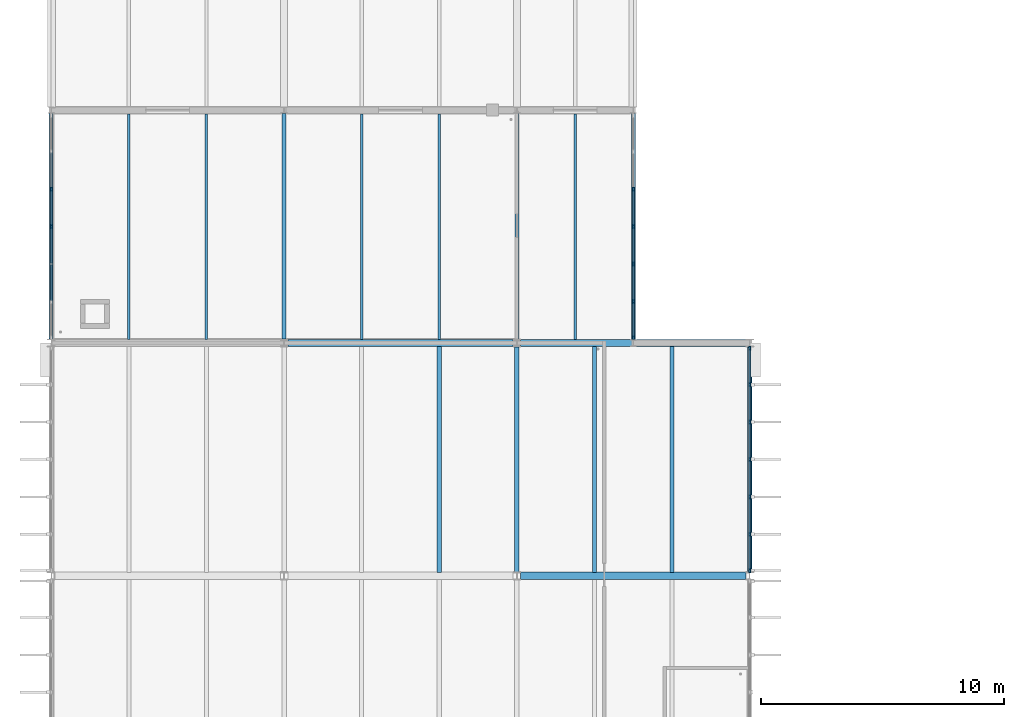
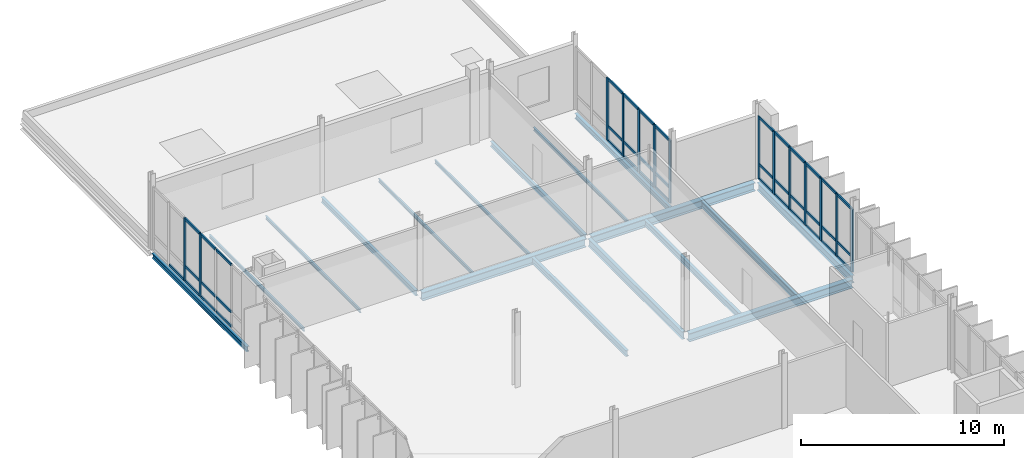
# One storey, part 37 of 107: 54 members, 17 beams, 3 elements without a shape of their own.
"""IFC4 building model written with IfcOpenShell, lengths in metres."""

import ifcopenshell
import ifcopenshell.guid

model = None  # the IFC model being written
_history = None  # IfcOwnerHistory: only IFC2X3 demands one
_inside = {}  # id of a spatial element -> (the spatial element, [elements in it])
_under = {}  # id of a project, library or spatial element -> (it, [spatial elements below it])
_declared = {}  # id of a project -> (the project, [libraries it declares])
_typed = {}  # id of a type object -> (the type object, [elements of that type])
_made_of = {}  # id of a material, layer set ... -> (it, [elements and type objects made of it])


def new_model(schema):
    """Start an empty IFC model of exactly this schema.

    Asked for "IFC4X3", IfcOpenShell would pick the latest addendum, in which some entities
    have other attributes; the version numbers below select the first issue.
    IFC2X3 requires an IfcOwnerHistory on every rooted entity: one is made here for all.
    """
    global model, _history
    if schema == "IFC4X3":
        model = ifcopenshell.file(schema_version=(4, 3, 0, 0))
    else:
        model = ifcopenshell.file(schema=schema)
    _inside.clear()
    _under.clear()
    _declared.clear()
    _typed.clear()
    _made_of.clear()
    _history = None
    if model.schema == "IFC2X3":
        org = make("IfcOrganization", Name="unknown")
        user = make(
            "IfcPersonAndOrganization",
            ThePerson=make("IfcPerson", FamilyName="unknown"),
            TheOrganization=org,
        )
        app = make(
            "IfcApplication",
            ApplicationDeveloper=org,
            Version="unknown",
            ApplicationFullName="unknown",
            ApplicationIdentifier="unknown",
        )
        _history = make(
            "IfcOwnerHistory",
            OwningUser=user,
            OwningApplication=app,
            ChangeAction="ADDED",
            CreationDate=0,
        )
    return model


def make(cls, **values):
    """One entity of the class cls with the attributes given. An attribute that is None is left unset."""
    return model.create_entity(
        cls, **{name: value for name, value in values.items() if value is not None}
    )


def rooted(cls, **values):
    """An entity with a GlobalId (a new one), such as an element, a storey or a relation."""
    return make(cls, GlobalId=ifcopenshell.guid.new(), OwnerHistory=_history, **values)


def si_unit(unit_type, name, prefix=None):
    """IfcSIUnit, for example si_unit("LENGTHUNIT", "METRE", prefix="MILLI")."""
    return make("IfcSIUnit", UnitType=unit_type, Prefix=prefix, Name=name)


def assignment(units):
    """IfcUnitAssignment: the units of a project."""
    return None if units is None else make("IfcUnitAssignment", Units=units)


def point(xyz):
    """IfcCartesianPoint."""
    return None if xyz is None else make("IfcCartesianPoint", Coordinates=xyz)


def direction(xyz):
    """IfcDirection."""
    return None if xyz is None else make("IfcDirection", DirectionRatios=xyz)


def frame(location, z_axis=None, x_axis=None):
    """IfcAxis2Placement3D, a coordinate frame: its origin and axes. An axis left out is left unset."""
    return make(
        "IfcAxis2Placement3D",
        Location=point(location),
        Axis=direction(z_axis),
        RefDirection=direction(x_axis),
    )


def frame_2d(location, x_axis=None):
    """IfcAxis2Placement2D, a coordinate frame in the plane: its origin and x axis."""
    return make(
        "IfcAxis2Placement2D", Location=point(location), RefDirection=direction(x_axis)
    )


def origin():
    """The frame at (0, 0, 0) with its axes left unset."""
    return frame((0.0, 0.0, 0.0))


def origin_2d():
    """The frame at (0, 0) in the plane with its x axis left unset."""
    return frame_2d((0.0, 0.0))


def place(relative_to, where):
    """IfcLocalPlacement: puts the frame where relative to a parent placement (None: the world)."""
    return make(
        "IfcLocalPlacement", PlacementRelTo=relative_to, RelativePlacement=where
    )


def context(
    kind, dimensions, precision=None, world=None, true_north=None, identifier=None
):
    """IfcGeometricRepresentationContext, for example the 3D "Model" context."""
    return make(
        "IfcGeometricRepresentationContext",
        ContextIdentifier=identifier,
        ContextType=kind,
        CoordinateSpaceDimension=dimensions,
        Precision=precision,
        WorldCoordinateSystem=world,
        TrueNorth=true_north,
    )


def subcontext(parent, identifier, kind, view, scale=None):
    """IfcGeometricRepresentationSubContext, for example "Body" below "Model"."""
    return make(
        "IfcGeometricRepresentationSubContext",
        ContextIdentifier=identifier,
        ContextType=kind,
        ParentContext=parent,
        TargetScale=scale,
        TargetView=view,
    )


def project(units=None, contexts=None):
    """IfcProject with its units and contexts."""
    return rooted(
        "IfcProject",
        Name="project",
        RepresentationContexts=contexts,
        UnitsInContext=assignment(units),
    )


def spatial(cls, under=None, at=None, **own):
    """A site, building, storey or space (cls), placed at a placement, below another one or the project."""
    s = rooted(cls, ObjectPlacement=at, **own)
    if under is not None:
        _under.setdefault(under.id(), (under, []))[1].append(s)
    return s


def profile(cls, at=None, kind="AREA", **sizes):
    """A parametric profile (cls). Its sizes go by their IFC names, for example OverallWidth=200.0."""
    return make(cls, ProfileType=kind, Position=at, **sizes)


def rectangle(**sizes):
    """IfcRectangleProfileDef."""
    return profile("IfcRectangleProfileDef", **sizes)


def i_section(**sizes):
    """IfcIShapeProfileDef."""
    return profile("IfcIShapeProfileDef", **sizes)


def extrude(swept, where, along, depth):
    """IfcExtrudedAreaSolid: the profile swept, set in the frame where, extruded along a direction by depth."""
    return make(
        "IfcExtrudedAreaSolid",
        SweptArea=swept,
        Position=where,
        ExtrudedDirection=direction(along),
        Depth=depth,
    )


def shape(context_of_items, identifier, shape_type, items):
    """IfcShapeRepresentation: the items that make up one representation, for example the "Body"."""
    return make(
        "IfcShapeRepresentation",
        ContextOfItems=context_of_items,
        RepresentationIdentifier=identifier,
        RepresentationType=shape_type,
        Items=items,
    )


def material(Name=None, Category=None):
    """IfcMaterial."""
    return make("IfcMaterial", Name=Name, Category=Category)


def material_profile(
    of_material, cross_section, Name=None, Category=None, Priority=None
):
    """IfcMaterialProfile: a cross section and its material."""
    return make(
        "IfcMaterialProfile",
        Name=Name,
        Material=of_material,
        Profile=cross_section,
        Priority=Priority,
        Category=Category,
    )


def profile_set(profiles, Name=None, composite=None):
    """IfcMaterialProfileSet."""
    return make(
        "IfcMaterialProfileSet",
        Name=Name,
        MaterialProfiles=profiles,
        CompositeProfile=composite,
    )


def made_of(thing, what):
    """Note that an element or type object is made of a material, layer set ...; save() writes the relation."""
    if what is not None:
        _made_of.setdefault(what.id(), (what, []))[1].append(thing)
    return thing


def type_object(cls, material=None, **own):
    """A type object (cls), such as IfcWallType, which elements share."""
    return made_of(rooted(cls, **own), material)


def element(
    cls,
    number,
    at=None,
    inside=None,
    cuts=None,
    type_object=None,
    material=None,
    context=None,
    identifier="Body",
    shape_type=None,
    held_by="IfcProductDefinitionShape",
    body=None,
    shapes=None,
    **own,
):
    """One element of the class cls, such as IfcWall. Its Tag is "e" and its number.

    at: its placement. inside: the storey or other place that contains it. cuts: it is an
    opening in that element (IfcRelVoidsElement). A single representation is given by context,
    identifier, shape_type and body (its items); several are given by shapes. held_by: the class
    of the entity that holds the representations. save() writes the other relations.
    """
    e = rooted(cls, Tag="e%d" % number, ObjectPlacement=at, **own)
    if body is not None:
        shapes = [shape(context, identifier, shape_type, body)]
    if shapes is not None:
        e.Representation = make(held_by, Representations=shapes)
    if inside is not None:
        _inside.setdefault(inside.id(), (inside, []))[1].append(e)
    if cuts is not None:
        rooted(
            "IfcRelVoidsElement", RelatingBuildingElement=cuts, RelatedOpeningElement=e
        )
    if type_object is not None:
        _typed.setdefault(type_object.id(), (type_object, []))[1].append(e)
    return made_of(e, material)


def aggregate(whole, parts):
    """IfcRelAggregates: a whole, such as a stair, and the parts it consists of."""
    return rooted("IfcRelAggregates", RelatingObject=whole, RelatedObjects=parts)


def save(model, path):
    """Write the relations noted so far, then the file.

    IfcRelAggregates (storeys below a building ...), IfcRelContainedInSpatialStructure (elements
    in a storey), IfcRelDefinesByType, IfcRelAssociatesMaterial and IfcRelDeclares: one each for
    every whole, place, type object, material and project.
    """
    for whole, parts in _under.values():
        aggregate(whole, parts)
    for where, things in _inside.values():
        rooted(
            "IfcRelContainedInSpatialStructure",
            RelatedElements=things,
            RelatingStructure=where,
        )
    for kind, things in _typed.values():
        rooted("IfcRelDefinesByType", RelatedObjects=things, RelatingType=kind)
    for what, things in _made_of.values():
        rooted("IfcRelAssociatesMaterial", RelatedObjects=things, RelatingMaterial=what)
    for by, libraries in _declared.values():
        rooted("IfcRelDeclares", RelatingContext=by, RelatedDefinitions=libraries)
    model.write(path)


model = new_model("IFC4")

# Units and contexts
model_context = context("Model", 3, precision=1e-05, world=origin(), true_north=direction((0.0, 1.0)))
body_context = subcontext(model_context, "Body", "Model", "MODEL_VIEW")
ifc_project = project(units=[si_unit("LENGTHUNIT", "METRE"), si_unit("AREAUNIT", "SQUARE_METRE"), si_unit("VOLUMEUNIT", "CUBIC_METRE"), si_unit("PLANEANGLEUNIT", "RADIAN"), si_unit("MASSUNIT", "GRAM", prefix="KILO")], contexts=[model_context])

# Site, building, storey
site_placement = place(None, origin())
site = spatial("IfcSite", under=ifc_project, at=site_placement, CompositionType="ELEMENT")
building_placement = place(site_placement, origin())
building = spatial("IfcBuilding", under=site, at=building_placement, Name="Dunescarp Central Library", CompositionType="ELEMENT")
storey_placement = place(building_placement, frame((0.0, 0.0, 5.10009765625)))
storey = spatial("IfcBuildingStorey", under=building, at=storey_placement, Name="L01", CompositionType="ELEMENT", Elevation=5.10009765625)

# Curtain wall, members
ifc_material_1 = material(Name="Marine-grade anodised aluminium 6063-T6", Category="aluminium")
curtain_wall_type = type_object("IfcCurtainWallType", Name="ARC-CW-STICK", PredefinedType="NOTDEFINED", material=ifc_material_1)
curtain_wall_1_placement = place(storey_placement, origin())
curtain_wall_1 = element("IfcCurtainWall", 1, at=curtain_wall_1_placement, inside=storey, type_object=curtain_wall_type, Name="L01 curtain wall CW-V4-123", PredefinedType="NOTDEFINED")
ifc_material_profile_1 = material_profile(ifc_material_1, rectangle(XDim=0.080078125, YDim=0.179931640625, at=origin_2d()), Name="AL 80x180")
ifc_profile_set_1 = profile_set([ifc_material_profile_1], Name="Marine-grade anodised aluminium 6063-T6")
member_type_1 = type_object("IfcMemberType", Name="ARC-CWM-180", PredefinedType="MULLION", material=ifc_profile_set_1)
member_1_placement = place(storey_placement, frame((28.800048828125, 89.385009765625, 0.0), z_axis=(0.0, 0.0, 1.0), x_axis=(1.0, 0.0, 0.0)))
member_1 = element("IfcMember", 2, at=member_1_placement, type_object=member_type_1, Name="CW-V4-123 mullion 1", PredefinedType="MULLION", context=body_context, shape_type="SweptSolid", body=[
    extrude(rectangle(XDim=0.080078125, YDim=0.179931640625, at=origin_2d()), origin(), (0.0, 0.0, 1.0), 3.764892578125),
])
member_2_placement = place(storey_placement, frame((28.800048828125, 87.88330078125, 0.0), z_axis=(0.0, 0.0, 1.0), x_axis=(1.0, 0.0, 0.0)))
member_2 = element("IfcMember", 3, at=member_2_placement, type_object=member_type_1, Name="CW-V4-123 mullion 2", PredefinedType="MULLION", context=body_context, shape_type="SweptSolid", body=[
    extrude(rectangle(XDim=0.080078125, YDim=0.179931640625, at=origin_2d()), origin(), (0.0, 0.0, 1.0), 3.764892578125),
])
member_3_placement = place(storey_placement, frame((28.800048828125, 86.341552734375, 0.0), z_axis=(0.0, 0.0, 1.0), x_axis=(1.0, 0.0, 0.0)))
member_3 = element("IfcMember", 4, at=member_3_placement, type_object=member_type_1, Name="CW-V4-123 mullion 3", PredefinedType="MULLION", context=body_context, shape_type="SweptSolid", body=[
    extrude(rectangle(XDim=0.080078125, YDim=0.179931640625, at=origin_2d()), origin(), (0.0, 0.0, 1.0), 3.764892578125),
])
member_4_placement = place(storey_placement, frame((28.800048828125, 84.800048828125, 0.0), z_axis=(0.0, 0.0, 1.0), x_axis=(1.0, 0.0, 0.0)))
member_4 = element("IfcMember", 5, at=member_4_placement, type_object=member_type_1, Name="CW-V4-123 mullion 4", PredefinedType="MULLION", context=body_context, shape_type="SweptSolid", body=[
    extrude(rectangle(XDim=0.080078125, YDim=0.179931640625, at=origin_2d()), origin(), (0.0, 0.0, 1.0), 3.764892578125),
])
member_5_placement = place(storey_placement, frame((28.800048828125, 83.25830078125, 0.0), z_axis=(0.0, 0.0, 1.0), x_axis=(1.0, 0.0, 0.0)))
member_5 = element("IfcMember", 6, at=member_5_placement, type_object=member_type_1, Name="CW-V4-123 mullion 5", PredefinedType="MULLION", context=body_context, shape_type="SweptSolid", body=[
    extrude(rectangle(XDim=0.080078125, YDim=0.179931640625, at=origin_2d()), origin(), (0.0, 0.0, 1.0), 3.764892578125),
])
member_6_placement = place(storey_placement, frame((28.800048828125, 81.716552734375, 0.0), z_axis=(0.0, 0.0, 1.0), x_axis=(1.0, 0.0, 0.0)))
member_6 = element("IfcMember", 7, at=member_6_placement, type_object=member_type_1, Name="CW-V4-123 mullion 6", PredefinedType="MULLION", context=body_context, shape_type="SweptSolid", body=[
    extrude(rectangle(XDim=0.080078125, YDim=0.179931640625, at=origin_2d()), origin(), (0.0, 0.0, 1.0), 3.764892578125),
])
member_7_placement = place(storey_placement, frame((28.800048828125, 80.215087890625, 0.0), z_axis=(0.0, 0.0, 1.0), x_axis=(1.0, 0.0, 0.0)))
member_7 = element("IfcMember", 8, at=member_7_placement, type_object=member_type_1, Name="CW-V4-123 mullion 7", PredefinedType="MULLION", context=body_context, shape_type="SweptSolid", body=[
    extrude(rectangle(XDim=0.080078125, YDim=0.179931640625, at=origin_2d()), origin(), (0.0, 0.0, 1.0), 3.764892578125),
])

curtain_wall_2_placement = place(storey_placement, origin())
curtain_wall_2 = element("IfcCurtainWall", 9, at=curtain_wall_2_placement, inside=storey, type_object=curtain_wall_type, Name="L01 curtain wall CW-V4N-142", PredefinedType="NOTDEFINED")
member_8_placement = place(storey_placement, frame((0.0, 94.39990234375, 0.0), z_axis=(0.0, 0.0, 1.0), x_axis=(-1.0, 0.0, 0.0)))
member_8 = element("IfcMember", 10, at=member_8_placement, type_object=member_type_1, Name="CW-V4N-142 mullion 4", PredefinedType="MULLION", context=body_context, shape_type="SweptSolid", body=[
    extrude(rectangle(XDim=0.080078125, YDim=0.179931640625, at=origin_2d()), origin(), (0.0, 0.0, 1.0), 3.764892578125),
])
member_9_placement = place(storey_placement, frame((0.0, 95.941650390625, 0.0), z_axis=(0.0, 0.0, 1.0), x_axis=(-1.0, 0.0, 0.0)))
member_9 = element("IfcMember", 11, at=member_9_placement, type_object=member_type_1, Name="CW-V4N-142 mullion 5", PredefinedType="MULLION", context=body_context, shape_type="SweptSolid", body=[
    extrude(rectangle(XDim=0.080078125, YDim=0.179931640625, at=origin_2d()), origin(), (0.0, 0.0, 1.0), 3.764892578125),
])

curtain_wall_3_placement = place(storey_placement, origin())
curtain_wall_3 = element("IfcCurtainWall", 12, at=curtain_wall_3_placement, inside=storey, type_object=curtain_wall_type, Name="L01 curtain wall CW-V4N-143", PredefinedType="NOTDEFINED")
member_10_placement = place(storey_placement, frame((24.0, 95.941650390625, 0.0), z_axis=(0.0, 0.0, 1.0), x_axis=(1.0, 0.0, 0.0)))
member_10 = element("IfcMember", 13, at=member_10_placement, type_object=member_type_1, Name="CW-V4N-143 mullion 3", PredefinedType="MULLION", context=body_context, shape_type="SweptSolid", body=[
    extrude(rectangle(XDim=0.080078125, YDim=0.179931640625, at=origin_2d()), origin(), (0.0, 0.0, 1.0), 3.764892578125),
])
member_11_placement = place(storey_placement, frame((24.0, 94.39990234375, 0.0), z_axis=(0.0, 0.0, 1.0), x_axis=(1.0, 0.0, 0.0)))
member_11 = element("IfcMember", 14, at=member_11_placement, type_object=member_type_1, Name="CW-V4N-143 mullion 4", PredefinedType="MULLION", context=body_context, shape_type="SweptSolid", body=[
    extrude(rectangle(XDim=0.080078125, YDim=0.179931640625, at=origin_2d()), origin(), (0.0, 0.0, 1.0), 3.764892578125),
])
member_12_placement = place(storey_placement, frame((24.0, 92.8583984375, 0.0), z_axis=(0.0, 0.0, 1.0), x_axis=(1.0, 0.0, 0.0)))
member_12 = element("IfcMember", 15, at=member_12_placement, type_object=member_type_1, Name="CW-V4N-143 mullion 5", PredefinedType="MULLION", context=body_context, shape_type="SweptSolid", body=[
    extrude(rectangle(XDim=0.080078125, YDim=0.179931640625, at=origin_2d()), origin(), (0.0, 0.0, 1.0), 3.764892578125),
])
member_13_placement = place(storey_placement, frame((24.0, 91.316650390625, 0.0), z_axis=(0.0, 0.0, 1.0), x_axis=(1.0, 0.0, 0.0)))
member_13 = element("IfcMember", 16, at=member_13_placement, type_object=member_type_1, Name="CW-V4N-143 mullion 6", PredefinedType="MULLION", context=body_context, shape_type="SweptSolid", body=[
    extrude(rectangle(XDim=0.080078125, YDim=0.179931640625, at=origin_2d()), origin(), (0.0, 0.0, 1.0), 3.764892578125),
])
member_14_placement = place(storey_placement, frame((24.0, 89.81494140625, 0.0), z_axis=(0.0, 0.0, 1.0), x_axis=(1.0, 0.0, 0.0)))
member_14 = element("IfcMember", 17, at=member_14_placement, type_object=member_type_1, Name="CW-V4N-143 mullion 7", PredefinedType="MULLION", context=body_context, shape_type="SweptSolid", body=[
    extrude(rectangle(XDim=0.080078125, YDim=0.179931640625, at=origin_2d()), origin(), (0.0, 0.0, 1.0), 3.764892578125),
])

# Member
ifc_material_profile_2 = material_profile(ifc_material_1, rectangle(XDim=0.080078125, YDim=0.14990234375, at=origin_2d()), Name="AL 80x150")
ifc_profile_set_2 = profile_set([ifc_material_profile_2], Name="Marine-grade anodised aluminium 6063-T6")
member_type_2 = type_object("IfcMemberType", Name="ARC-CWT-150", PredefinedType="USERDEFINED", material=ifc_profile_set_2)
member_15_placement = place(storey_placement, frame((28.800048828125, 89.344970703125, 0.039794921875), z_axis=(0.0, -1.0, 0.0), x_axis=(1.0, 0.0, 0.0)))
member_15 = element("IfcMember", 18, at=member_15_placement, type_object=member_type_2, Name="CW-V4-123 transom 1.1", ObjectType="TRANSOM", PredefinedType="USERDEFINED", context=body_context, shape_type="SweptSolid", body=[
    extrude(rectangle(XDim=0.080078125, YDim=0.14990234375, at=origin_2d()), origin(), (0.0, 0.0, 1.0), 1.421630859375),
])

member_16_placement = place(storey_placement, frame((28.800048828125, 89.344970703125, 0.89990234375), z_axis=(0.0, -1.0, 0.0), x_axis=(1.0, 0.0, 0.0)))
member_16 = element("IfcMember", 19, at=member_16_placement, type_object=member_type_2, Name="CW-V4-123 transom 1.2", ObjectType="TRANSOM", PredefinedType="USERDEFINED", context=body_context, shape_type="SweptSolid", body=[
    extrude(rectangle(XDim=0.080078125, YDim=0.14990234375, at=origin_2d()), origin(), (0.0, 0.0, 1.0), 1.421630859375),
])

member_17_placement = place(storey_placement, frame((28.800048828125, 89.344970703125, 3.724853515625), z_axis=(0.0, -1.0, 0.0), x_axis=(1.0, 0.0, 0.0)))
member_17 = element("IfcMember", 20, at=member_17_placement, type_object=member_type_2, Name="CW-V4-123 transom 1.3", ObjectType="TRANSOM", PredefinedType="USERDEFINED", context=body_context, shape_type="SweptSolid", body=[
    extrude(rectangle(XDim=0.080078125, YDim=0.14990234375, at=origin_2d()), origin(), (0.0, 0.0, 1.0), 1.421630859375),
])

member_18_placement = place(storey_placement, frame((28.800048828125, 87.84326171875, 0.039794921875), z_axis=(0.0, -1.0, 0.0), x_axis=(1.0, 0.0, 0.0)))
member_18 = element("IfcMember", 21, at=member_18_placement, type_object=member_type_2, Name="CW-V4-123 transom 2.1", ObjectType="TRANSOM", PredefinedType="USERDEFINED", context=body_context, shape_type="SweptSolid", body=[
    extrude(rectangle(XDim=0.080078125, YDim=0.14990234375, at=origin_2d()), origin(), (0.0, 0.0, 1.0), 1.461669921875),
])

member_19_placement = place(storey_placement, frame((28.800048828125, 87.84326171875, 0.89990234375), z_axis=(0.0, -1.0, 0.0), x_axis=(1.0, 0.0, 0.0)))
member_19 = element("IfcMember", 22, at=member_19_placement, type_object=member_type_2, Name="CW-V4-123 transom 2.2", ObjectType="TRANSOM", PredefinedType="USERDEFINED", context=body_context, shape_type="SweptSolid", body=[
    extrude(rectangle(XDim=0.080078125, YDim=0.14990234375, at=origin_2d()), origin(), (0.0, 0.0, 1.0), 1.461669921875),
])

member_20_placement = place(storey_placement, frame((28.800048828125, 87.84326171875, 3.724853515625), z_axis=(0.0, -1.0, 0.0), x_axis=(1.0, 0.0, 0.0)))
member_20 = element("IfcMember", 23, at=member_20_placement, type_object=member_type_2, Name="CW-V4-123 transom 2.3", ObjectType="TRANSOM", PredefinedType="USERDEFINED", context=body_context, shape_type="SweptSolid", body=[
    extrude(rectangle(XDim=0.080078125, YDim=0.14990234375, at=origin_2d()), origin(), (0.0, 0.0, 1.0), 1.461669921875),
])

member_21_placement = place(storey_placement, frame((28.800048828125, 86.3017578125, 0.039794921875), z_axis=(0.0, -1.0, 0.0), x_axis=(1.0, 0.0, 0.0)))
member_21 = element("IfcMember", 24, at=member_21_placement, type_object=member_type_2, Name="CW-V4-123 transom 3.1", ObjectType="TRANSOM", PredefinedType="USERDEFINED", context=body_context, shape_type="SweptSolid", body=[
    extrude(rectangle(XDim=0.080078125, YDim=0.14990234375, at=origin_2d()), origin(), (0.0, 0.0, 1.0), 1.461669921875),
])

member_22_placement = place(storey_placement, frame((28.800048828125, 86.3017578125, 0.89990234375), z_axis=(0.0, -1.0, 0.0), x_axis=(1.0, 0.0, 0.0)))
member_22 = element("IfcMember", 25, at=member_22_placement, type_object=member_type_2, Name="CW-V4-123 transom 3.2", ObjectType="TRANSOM", PredefinedType="USERDEFINED", context=body_context, shape_type="SweptSolid", body=[
    extrude(rectangle(XDim=0.080078125, YDim=0.14990234375, at=origin_2d()), origin(), (0.0, 0.0, 1.0), 1.461669921875),
])

member_23_placement = place(storey_placement, frame((28.800048828125, 86.3017578125, 3.724853515625), z_axis=(0.0, -1.0, 0.0), x_axis=(1.0, 0.0, 0.0)))
member_23 = element("IfcMember", 26, at=member_23_placement, type_object=member_type_2, Name="CW-V4-123 transom 3.3", ObjectType="TRANSOM", PredefinedType="USERDEFINED", context=body_context, shape_type="SweptSolid", body=[
    extrude(rectangle(XDim=0.080078125, YDim=0.14990234375, at=origin_2d()), origin(), (0.0, 0.0, 1.0), 1.461669921875),
])

member_24_placement = place(storey_placement, frame((28.800048828125, 84.760009765625, 0.039794921875), z_axis=(0.0, -1.0, 0.0), x_axis=(1.0, 0.0, 0.0)))
member_24 = element("IfcMember", 27, at=member_24_placement, type_object=member_type_2, Name="CW-V4-123 transom 4.1", ObjectType="TRANSOM", PredefinedType="USERDEFINED", context=body_context, shape_type="SweptSolid", body=[
    extrude(rectangle(XDim=0.080078125, YDim=0.14990234375, at=origin_2d()), origin(), (0.0, 0.0, 1.0), 1.461669921875),
])

member_25_placement = place(storey_placement, frame((28.800048828125, 84.760009765625, 0.89990234375), z_axis=(0.0, -1.0, 0.0), x_axis=(1.0, 0.0, 0.0)))
member_25 = element("IfcMember", 28, at=member_25_placement, type_object=member_type_2, Name="CW-V4-123 transom 4.2", ObjectType="TRANSOM", PredefinedType="USERDEFINED", context=body_context, shape_type="SweptSolid", body=[
    extrude(rectangle(XDim=0.080078125, YDim=0.14990234375, at=origin_2d()), origin(), (0.0, 0.0, 1.0), 1.461669921875),
])

member_26_placement = place(storey_placement, frame((28.800048828125, 84.760009765625, 3.724853515625), z_axis=(0.0, -1.0, 0.0), x_axis=(1.0, 0.0, 0.0)))
member_26 = element("IfcMember", 29, at=member_26_placement, type_object=member_type_2, Name="CW-V4-123 transom 4.3", ObjectType="TRANSOM", PredefinedType="USERDEFINED", context=body_context, shape_type="SweptSolid", body=[
    extrude(rectangle(XDim=0.080078125, YDim=0.14990234375, at=origin_2d()), origin(), (0.0, 0.0, 1.0), 1.461669921875),
])

member_27_placement = place(storey_placement, frame((28.800048828125, 83.21826171875, 0.039794921875), z_axis=(0.0, -1.0, 0.0), x_axis=(1.0, 0.0, 0.0)))
member_27 = element("IfcMember", 30, at=member_27_placement, type_object=member_type_2, Name="CW-V4-123 transom 5.1", ObjectType="TRANSOM", PredefinedType="USERDEFINED", context=body_context, shape_type="SweptSolid", body=[
    extrude(rectangle(XDim=0.080078125, YDim=0.14990234375, at=origin_2d()), origin(), (0.0, 0.0, 1.0), 1.461669921875),
])

member_28_placement = place(storey_placement, frame((28.800048828125, 83.21826171875, 0.89990234375), z_axis=(0.0, -1.0, 0.0), x_axis=(1.0, 0.0, 0.0)))
member_28 = element("IfcMember", 31, at=member_28_placement, type_object=member_type_2, Name="CW-V4-123 transom 5.2", ObjectType="TRANSOM", PredefinedType="USERDEFINED", context=body_context, shape_type="SweptSolid", body=[
    extrude(rectangle(XDim=0.080078125, YDim=0.14990234375, at=origin_2d()), origin(), (0.0, 0.0, 1.0), 1.461669921875),
])

member_29_placement = place(storey_placement, frame((28.800048828125, 83.21826171875, 3.724853515625), z_axis=(0.0, -1.0, 0.0), x_axis=(1.0, 0.0, 0.0)))
member_29 = element("IfcMember", 32, at=member_29_placement, type_object=member_type_2, Name="CW-V4-123 transom 5.3", ObjectType="TRANSOM", PredefinedType="USERDEFINED", context=body_context, shape_type="SweptSolid", body=[
    extrude(rectangle(XDim=0.080078125, YDim=0.14990234375, at=origin_2d()), origin(), (0.0, 0.0, 1.0), 1.461669921875),
])

member_30_placement = place(storey_placement, frame((28.800048828125, 81.6767578125, 0.039794921875), z_axis=(0.0, -1.0, 0.0), x_axis=(1.0, 0.0, 0.0)))
member_30 = element("IfcMember", 33, at=member_30_placement, type_object=member_type_2, Name="CW-V4-123 transom 6.1", ObjectType="TRANSOM", PredefinedType="USERDEFINED", context=body_context, shape_type="SweptSolid", body=[
    extrude(rectangle(XDim=0.080078125, YDim=0.14990234375, at=origin_2d()), origin(), (0.0, 0.0, 1.0), 1.421875),
])

member_31_placement = place(storey_placement, frame((28.800048828125, 81.6767578125, 0.89990234375), z_axis=(0.0, -1.0, 0.0), x_axis=(1.0, 0.0, 0.0)))
member_31 = element("IfcMember", 34, at=member_31_placement, type_object=member_type_2, Name="CW-V4-123 transom 6.2", ObjectType="TRANSOM", PredefinedType="USERDEFINED", context=body_context, shape_type="SweptSolid", body=[
    extrude(rectangle(XDim=0.080078125, YDim=0.14990234375, at=origin_2d()), origin(), (0.0, 0.0, 1.0), 1.421875),
])

member_32_placement = place(storey_placement, frame((28.800048828125, 81.6767578125, 3.724853515625), z_axis=(0.0, -1.0, 0.0), x_axis=(1.0, 0.0, 0.0)))
member_32 = element("IfcMember", 35, at=member_32_placement, type_object=member_type_2, Name="CW-V4-123 transom 6.3", ObjectType="TRANSOM", PredefinedType="USERDEFINED", context=body_context, shape_type="SweptSolid", body=[
    extrude(rectangle(XDim=0.080078125, YDim=0.14990234375, at=origin_2d()), origin(), (0.0, 0.0, 1.0), 1.421875),
])

aggregate(curtain_wall_1, [member_1, member_2, member_3, member_4, member_5, member_6, member_7, member_15, member_16, member_17, member_18, member_19, member_20, member_21, member_22, member_23, member_24, member_25, member_26, member_27, member_28, member_29, member_30, member_31, member_32])

member_33_placement = place(storey_placement, frame((0.0, 91.356689453125, 0.039794921875), z_axis=(0.0, 1.0, 0.0), x_axis=(-1.0, 0.0, 0.0)))
member_33 = element("IfcMember", 36, at=member_33_placement, type_object=member_type_2, Name="CW-V4N-142 transom 2.1", ObjectType="TRANSOM", PredefinedType="USERDEFINED", context=body_context, shape_type="SweptSolid", body=[
    extrude(rectangle(XDim=0.080078125, YDim=0.14990234375, at=origin_2d()), origin(), (0.0, 0.0, 1.0), 1.461669921875),
])

member_34_placement = place(storey_placement, frame((0.0, 91.356689453125, 0.89990234375), z_axis=(0.0, 1.0, 0.0), x_axis=(-1.0, 0.0, 0.0)))
member_34 = element("IfcMember", 37, at=member_34_placement, type_object=member_type_2, Name="CW-V4N-142 transom 2.2", ObjectType="TRANSOM", PredefinedType="USERDEFINED", context=body_context, shape_type="SweptSolid", body=[
    extrude(rectangle(XDim=0.080078125, YDim=0.14990234375, at=origin_2d()), origin(), (0.0, 0.0, 1.0), 1.461669921875),
])

member_35_placement = place(storey_placement, frame((0.0, 91.356689453125, 3.724853515625), z_axis=(0.0, 1.0, 0.0), x_axis=(-1.0, 0.0, 0.0)))
member_35 = element("IfcMember", 38, at=member_35_placement, type_object=member_type_2, Name="CW-V4N-142 transom 2.3", ObjectType="TRANSOM", PredefinedType="USERDEFINED", context=body_context, shape_type="SweptSolid", body=[
    extrude(rectangle(XDim=0.080078125, YDim=0.14990234375, at=origin_2d()), origin(), (0.0, 0.0, 1.0), 1.461669921875),
])

member_36_placement = place(storey_placement, frame((0.0, 92.8984375, 0.039794921875), z_axis=(0.0, 1.0, 0.0), x_axis=(-1.0, 0.0, 0.0)))
member_36 = element("IfcMember", 39, at=member_36_placement, type_object=member_type_2, Name="CW-V4N-142 transom 3.1", ObjectType="TRANSOM", PredefinedType="USERDEFINED", context=body_context, shape_type="SweptSolid", body=[
    extrude(rectangle(XDim=0.080078125, YDim=0.14990234375, at=origin_2d()), origin(), (0.0, 0.0, 1.0), 1.461669921875),
])

member_37_placement = place(storey_placement, frame((0.0, 92.8984375, 0.89990234375), z_axis=(0.0, 1.0, 0.0), x_axis=(-1.0, 0.0, 0.0)))
member_37 = element("IfcMember", 40, at=member_37_placement, type_object=member_type_2, Name="CW-V4N-142 transom 3.2", ObjectType="TRANSOM", PredefinedType="USERDEFINED", context=body_context, shape_type="SweptSolid", body=[
    extrude(rectangle(XDim=0.080078125, YDim=0.14990234375, at=origin_2d()), origin(), (0.0, 0.0, 1.0), 1.461669921875),
])

member_38_placement = place(storey_placement, frame((0.0, 92.8984375, 3.724853515625), z_axis=(0.0, 1.0, 0.0), x_axis=(-1.0, 0.0, 0.0)))
member_38 = element("IfcMember", 41, at=member_38_placement, type_object=member_type_2, Name="CW-V4N-142 transom 3.3", ObjectType="TRANSOM", PredefinedType="USERDEFINED", context=body_context, shape_type="SweptSolid", body=[
    extrude(rectangle(XDim=0.080078125, YDim=0.14990234375, at=origin_2d()), origin(), (0.0, 0.0, 1.0), 1.461669921875),
])

member_39_placement = place(storey_placement, frame((0.0, 94.43994140625, 0.039794921875), z_axis=(0.0, 1.0, 0.0), x_axis=(-1.0, 0.0, 0.0)))
member_39 = element("IfcMember", 42, at=member_39_placement, type_object=member_type_2, Name="CW-V4N-142 transom 4.1", ObjectType="TRANSOM", PredefinedType="USERDEFINED", context=body_context, shape_type="SweptSolid", body=[
    extrude(rectangle(XDim=0.080078125, YDim=0.14990234375, at=origin_2d()), origin(), (0.0, 0.0, 1.0), 1.461669921875),
])

member_40_placement = place(storey_placement, frame((0.0, 94.43994140625, 0.89990234375), z_axis=(0.0, 1.0, 0.0), x_axis=(-1.0, 0.0, 0.0)))
member_40 = element("IfcMember", 43, at=member_40_placement, type_object=member_type_2, Name="CW-V4N-142 transom 4.2", ObjectType="TRANSOM", PredefinedType="USERDEFINED", context=body_context, shape_type="SweptSolid", body=[
    extrude(rectangle(XDim=0.080078125, YDim=0.14990234375, at=origin_2d()), origin(), (0.0, 0.0, 1.0), 1.461669921875),
])

member_41_placement = place(storey_placement, frame((0.0, 94.43994140625, 3.724853515625), z_axis=(0.0, 1.0, 0.0), x_axis=(-1.0, 0.0, 0.0)))
member_41 = element("IfcMember", 44, at=member_41_placement, type_object=member_type_2, Name="CW-V4N-142 transom 4.3", ObjectType="TRANSOM", PredefinedType="USERDEFINED", context=body_context, shape_type="SweptSolid", body=[
    extrude(rectangle(XDim=0.080078125, YDim=0.14990234375, at=origin_2d()), origin(), (0.0, 0.0, 1.0), 1.461669921875),
])

member_42_placement = place(storey_placement, frame((0.0, 95.981689453125, 0.039794921875), z_axis=(0.0, 1.0, 0.0), x_axis=(-1.0, 0.0, 0.0)))
member_42 = element("IfcMember", 45, at=member_42_placement, type_object=member_type_2, Name="CW-V4N-142 transom 5.1", ObjectType="TRANSOM", PredefinedType="USERDEFINED", context=body_context, shape_type="SweptSolid", body=[
    extrude(rectangle(XDim=0.080078125, YDim=0.14990234375, at=origin_2d()), origin(), (0.0, 0.0, 1.0), 1.461669921875),
])

aggregate(curtain_wall_2, [member_8, member_9, member_33, member_34, member_35, member_36, member_37, member_38, member_39, member_40, member_41, member_42])

member_43_placement = place(storey_placement, frame((24.0, 95.901611328125, 0.039794921875), z_axis=(0.0, -1.0, 0.0), x_axis=(1.0, 0.0, 0.0)))
member_43 = element("IfcMember", 46, at=member_43_placement, type_object=member_type_2, Name="CW-V4N-143 transom 3.1", ObjectType="TRANSOM", PredefinedType="USERDEFINED", context=body_context, shape_type="SweptSolid", body=[
    extrude(rectangle(XDim=0.080078125, YDim=0.14990234375, at=origin_2d()), origin(), (0.0, 0.0, 1.0), 1.461669921875),
])

member_44_placement = place(storey_placement, frame((24.0, 95.901611328125, 0.89990234375), z_axis=(0.0, -1.0, 0.0), x_axis=(1.0, 0.0, 0.0)))
member_44 = element("IfcMember", 47, at=member_44_placement, type_object=member_type_2, Name="CW-V4N-143 transom 3.2", ObjectType="TRANSOM", PredefinedType="USERDEFINED", context=body_context, shape_type="SweptSolid", body=[
    extrude(rectangle(XDim=0.080078125, YDim=0.14990234375, at=origin_2d()), origin(), (0.0, 0.0, 1.0), 1.461669921875),
])

member_45_placement = place(storey_placement, frame((24.0, 95.901611328125, 3.724853515625), z_axis=(0.0, -1.0, 0.0), x_axis=(1.0, 0.0, 0.0)))
member_45 = element("IfcMember", 48, at=member_45_placement, type_object=member_type_2, Name="CW-V4N-143 transom 3.3", ObjectType="TRANSOM", PredefinedType="USERDEFINED", context=body_context, shape_type="SweptSolid", body=[
    extrude(rectangle(XDim=0.080078125, YDim=0.14990234375, at=origin_2d()), origin(), (0.0, 0.0, 1.0), 1.461669921875),
])

member_46_placement = place(storey_placement, frame((24.0, 94.360107421875, 0.039794921875), z_axis=(0.0, -1.0, 0.0), x_axis=(1.0, 0.0, 0.0)))
member_46 = element("IfcMember", 49, at=member_46_placement, type_object=member_type_2, Name="CW-V4N-143 transom 4.1", ObjectType="TRANSOM", PredefinedType="USERDEFINED", context=body_context, shape_type="SweptSolid", body=[
    extrude(rectangle(XDim=0.080078125, YDim=0.14990234375, at=origin_2d()), origin(), (0.0, 0.0, 1.0), 1.461669921875),
])

member_47_placement = place(storey_placement, frame((24.0, 94.360107421875, 0.89990234375), z_axis=(0.0, -1.0, 0.0), x_axis=(1.0, 0.0, 0.0)))
member_47 = element("IfcMember", 50, at=member_47_placement, type_object=member_type_2, Name="CW-V4N-143 transom 4.2", ObjectType="TRANSOM", PredefinedType="USERDEFINED", context=body_context, shape_type="SweptSolid", body=[
    extrude(rectangle(XDim=0.080078125, YDim=0.14990234375, at=origin_2d()), origin(), (0.0, 0.0, 1.0), 1.461669921875),
])

member_48_placement = place(storey_placement, frame((24.0, 94.360107421875, 3.724853515625), z_axis=(0.0, -1.0, 0.0), x_axis=(1.0, 0.0, 0.0)))
member_48 = element("IfcMember", 51, at=member_48_placement, type_object=member_type_2, Name="CW-V4N-143 transom 4.3", ObjectType="TRANSOM", PredefinedType="USERDEFINED", context=body_context, shape_type="SweptSolid", body=[
    extrude(rectangle(XDim=0.080078125, YDim=0.14990234375, at=origin_2d()), origin(), (0.0, 0.0, 1.0), 1.461669921875),
])

member_49_placement = place(storey_placement, frame((24.0, 92.818359375, 0.039794921875), z_axis=(0.0, -1.0, 0.0), x_axis=(1.0, 0.0, 0.0)))
member_49 = element("IfcMember", 52, at=member_49_placement, type_object=member_type_2, Name="CW-V4N-143 transom 5.1", ObjectType="TRANSOM", PredefinedType="USERDEFINED", context=body_context, shape_type="SweptSolid", body=[
    extrude(rectangle(XDim=0.080078125, YDim=0.14990234375, at=origin_2d()), origin(), (0.0, 0.0, 1.0), 1.461669921875),
])

member_50_placement = place(storey_placement, frame((24.0, 92.818359375, 0.89990234375), z_axis=(0.0, -1.0, 0.0), x_axis=(1.0, 0.0, 0.0)))
member_50 = element("IfcMember", 53, at=member_50_placement, type_object=member_type_2, Name="CW-V4N-143 transom 5.2", ObjectType="TRANSOM", PredefinedType="USERDEFINED", context=body_context, shape_type="SweptSolid", body=[
    extrude(rectangle(XDim=0.080078125, YDim=0.14990234375, at=origin_2d()), origin(), (0.0, 0.0, 1.0), 1.461669921875),
])

member_51_placement = place(storey_placement, frame((24.0, 92.818359375, 3.724853515625), z_axis=(0.0, -1.0, 0.0), x_axis=(1.0, 0.0, 0.0)))
member_51 = element("IfcMember", 54, at=member_51_placement, type_object=member_type_2, Name="CW-V4N-143 transom 5.3", ObjectType="TRANSOM", PredefinedType="USERDEFINED", context=body_context, shape_type="SweptSolid", body=[
    extrude(rectangle(XDim=0.080078125, YDim=0.14990234375, at=origin_2d()), origin(), (0.0, 0.0, 1.0), 1.461669921875),
])

member_52_placement = place(storey_placement, frame((24.0, 91.276611328125, 0.039794921875), z_axis=(0.0, -1.0, 0.0), x_axis=(1.0, 0.0, 0.0)))
member_52 = element("IfcMember", 55, at=member_52_placement, type_object=member_type_2, Name="CW-V4N-143 transom 6.1", ObjectType="TRANSOM", PredefinedType="USERDEFINED", context=body_context, shape_type="SweptSolid", body=[
    extrude(rectangle(XDim=0.080078125, YDim=0.14990234375, at=origin_2d()), origin(), (0.0, 0.0, 1.0), 1.421630859375),
])

member_53_placement = place(storey_placement, frame((24.0, 91.276611328125, 0.89990234375), z_axis=(0.0, -1.0, 0.0), x_axis=(1.0, 0.0, 0.0)))
member_53 = element("IfcMember", 56, at=member_53_placement, type_object=member_type_2, Name="CW-V4N-143 transom 6.2", ObjectType="TRANSOM", PredefinedType="USERDEFINED", context=body_context, shape_type="SweptSolid", body=[
    extrude(rectangle(XDim=0.080078125, YDim=0.14990234375, at=origin_2d()), origin(), (0.0, 0.0, 1.0), 1.421630859375),
])

member_54_placement = place(storey_placement, frame((24.0, 91.276611328125, 3.724853515625), z_axis=(0.0, -1.0, 0.0), x_axis=(1.0, 0.0, 0.0)))
member_54 = element("IfcMember", 57, at=member_54_placement, type_object=member_type_2, Name="CW-V4N-143 transom 6.3", ObjectType="TRANSOM", PredefinedType="USERDEFINED", context=body_context, shape_type="SweptSolid", body=[
    extrude(rectangle(XDim=0.080078125, YDim=0.14990234375, at=origin_2d()), origin(), (0.0, 0.0, 1.0), 1.421630859375),
])

aggregate(curtain_wall_3, [member_10, member_11, member_12, member_13, member_14, member_43, member_44, member_45, member_46, member_47, member_48, member_49, member_50, member_51, member_52, member_53, member_54])

# Beams
ifc_material_2 = material(Name="Steel S355JR", Category="steel")
ifc_material_profile_3 = material_profile(ifc_material_2, i_section(OverallWidth=0.300048828125, OverallDepth=0.5, WebThickness=0.014404296875, FlangeThickness=0.028076171875, at=origin_2d()), Name="HEB 500")
ifc_profile_set_3 = profile_set([ifc_material_profile_3], Name="Steel S355JR")
beam_type_1 = type_object("IfcBeamType", Name="STR-BM-HEB500", PredefinedType="BEAM", material=ifc_profile_set_3)
beam_1_placement = place(storey_placement, frame((9.7529296875, 89.60009765625, -0.47021484375), z_axis=(1.0, 0.0, 0.0), x_axis=(0.0, 1.0, 0.0)))
element("IfcBeam", 58, at=beam_1_placement, inside=storey, type_object=beam_type_1, Name="L01 girder BM-L01-0970", PredefinedType="BEAM", context=body_context, shape_type="SweptSolid", body=[
    extrude(i_section(OverallWidth=0.300048828125, OverallDepth=0.5, WebThickness=0.014404296875, FlangeThickness=0.028076171875, at=origin_2d()), origin(), (0.0, 0.0, 1.0), 9.294189453125),
])
for number, where, z_axis, x_axis, name in (
    (59, (19.35302734375, 80.0, -0.47021484375), (1.0, 0.0, 0.0), (0.0, 1.0, 0.0), "L01 girder BM-L01-0979"),
    (60, (19.35302734375, 89.60009765625, -0.47021484375), (1.0, 0.0, 0.0), (0.0, 1.0, 0.0), "L01 girder BM-L01-0983"),
):
    element("IfcBeam", number, at=place(storey_placement, frame(where, z_axis=z_axis, x_axis=x_axis)), inside=storey, type_object=beam_type_1, Name=name, PredefinedType="BEAM", context=body_context, shape_type="SweptSolid", body=[
        extrude(i_section(OverallWidth=0.300048828125, OverallDepth=0.5, WebThickness=0.014404296875, FlangeThickness=0.028076171875, at=origin_2d()), origin(), (0.0, 0.0, 1.0), 9.2939453125),
    ])
ifc_material_profile_4 = material_profile(ifc_material_2, i_section(OverallWidth=0.1650390625, OverallDepth=0.303466796875, WebThickness=0.006103515625, FlangeThickness=0.01025390625, at=origin_2d()), Name="UB 305x165x40")
ifc_profile_set_4 = profile_set([ifc_material_profile_4], Name="Steel S355JR")
beam_type_2 = type_object("IfcBeamType", Name="STR-BM-UB305X40", PredefinedType="BEAM", material=ifc_profile_set_4)
for number, where, z_axis, x_axis, name in (
    (61, (0.0, 89.760986328125, -0.3720703125), (0.0, 1.0, 0.0), (-1.0, 0.0, 0.0), "L01 girder BM-L01-1311"),
    (62, (9.60009765625, 89.760986328125, -0.3720703125), (0.0, 1.0, 0.0), (-1.0, 0.0, 0.0), "L01 girder BM-L01-1312"),
    (63, (19.199951171875, 89.760986328125, -0.3720703125), (0.0, 1.0, 0.0), (-1.0, 0.0, 0.0), "L01 girder BM-L01-1316"),
):
    element("IfcBeam", number, at=place(storey_placement, frame(where, z_axis=z_axis, x_axis=x_axis)), inside=storey, type_object=beam_type_2, Name=name, PredefinedType="BEAM", context=body_context, shape_type="SweptSolid", body=[
        extrude(i_section(OverallWidth=0.1650390625, OverallDepth=0.303466796875, WebThickness=0.006103515625, FlangeThickness=0.01025390625, at=origin_2d()), origin(), (0.0, 0.0, 1.0), 9.31201171875),
    ])
beam_2_placement = place(storey_placement, frame((24.0, 89.72705078125, -0.3720703125), z_axis=(0.0, 1.0, 0.0), x_axis=(-1.0, 0.0, 0.0)))
element("IfcBeam", 64, at=beam_2_placement, inside=storey, type_object=beam_type_2, Name="L01 girder BM-L01-1320", PredefinedType="BEAM", context=body_context, shape_type="SweptSolid", body=[
    extrude(i_section(OverallWidth=0.1650390625, OverallDepth=0.303466796875, WebThickness=0.006103515625, FlangeThickness=0.01025390625, at=origin_2d()), origin(), (0.0, 0.0, 1.0), 9.345947265625),
])
ifc_material_profile_5 = material_profile(ifc_material_2, i_section(OverallWidth=0.18994140625, OverallDepth=0.453369140625, WebThickness=0.008544921875, FlangeThickness=0.0126953125, at=origin_2d()), Name="UB 457x191x67")
ifc_profile_set_5 = profile_set([ifc_material_profile_5], Name="Steel S355JR")
beam_type_3 = type_object("IfcBeamType", Name="STR-BM-UB457", PredefinedType="BEAM", material=ifc_profile_set_5)
for number, where, z_axis, x_axis, name in (
    (65, (19.199951171875, 80.160888671875, -0.447021484375), (0.0, 1.0, 0.0), (-1.0, 0.0, 0.0), "L01 girder BM-L01-0971"),
    (66, (28.800048828125, 80.160888671875, -0.447021484375), (0.0, 1.0, 0.0), (-1.0, 0.0, 0.0), "L01 girder BM-L01-0984"),
):
    element("IfcBeam", number, at=place(storey_placement, frame(where, z_axis=z_axis, x_axis=x_axis)), inside=storey, type_object=beam_type_3, Name=name, PredefinedType="BEAM", context=body_context, shape_type="SweptSolid", body=[
        extrude(i_section(OverallWidth=0.18994140625, OverallDepth=0.453369140625, WebThickness=0.008544921875, FlangeThickness=0.0126953125, at=origin_2d()), origin(), (0.0, 0.0, 1.0), 9.278076171875),
    ])
ifc_material_profile_6 = material_profile(ifc_material_2, i_section(OverallWidth=0.10009765625, OverallDepth=0.199951171875, WebThickness=0.005615234375, FlangeThickness=0.008544921875, at=origin_2d()), Name="IPE 200")
ifc_profile_set_6 = profile_set([ifc_material_profile_6], Name="Steel S355JR")
beam_type_4 = type_object("IfcBeamType", Name="STR-JS-IPE200", PredefinedType="JOIST", material=ifc_profile_set_6)
for number, where, z_axis, x_axis, name in (
    (67, (3.199951171875, 89.748046875, -0.320068359375), (0.0, 1.0, 0.0), (-1.0, 0.0, 0.0), "L01 joist JS-L01-1313"),
    (68, (6.39990234375, 89.748046875, -0.320068359375), (0.0, 1.0, 0.0), (-1.0, 0.0, 0.0), "L01 joist JS-L01-1314"),
    (69, (12.800048828125, 89.748046875, -0.320068359375), (0.0, 1.0, 0.0), (-1.0, 0.0, 0.0), "L01 joist JS-L01-1317"),
    (70, (16.0, 89.748046875, -0.320068359375), (0.0, 1.0, 0.0), (-1.0, 0.0, 0.0), "L01 joist JS-L01-1318"),
    (71, (21.60009765625, 89.748046875, -0.320068359375), (0.0, 1.0, 0.0), (-1.0, 0.0, 0.0), "L01 joist JS-L01-1321"),
):
    element("IfcBeam", number, at=place(storey_placement, frame(where, z_axis=z_axis, x_axis=x_axis)), inside=storey, type_object=beam_type_4, Name=name, PredefinedType="JOIST", context=body_context, shape_type="SweptSolid", body=[
        extrude(i_section(OverallWidth=0.10009765625, OverallDepth=0.199951171875, WebThickness=0.005615234375, FlangeThickness=0.008544921875, at=origin_2d()), origin(), (0.0, 0.0, 1.0), 9.303955078125),
    ])
ifc_material_profile_7 = material_profile(ifc_material_2, i_section(OverallWidth=0.169921875, OverallDepth=0.360107421875, WebThickness=0.008056640625, FlangeThickness=0.0126953125, at=origin_2d()), Name="IPE 360")
ifc_profile_set_7 = profile_set([ifc_material_profile_7], Name="Steel S355JR")
beam_type_5 = type_object("IfcBeamType", Name="STR-JS-IPE360", PredefinedType="JOIST", material=ifc_profile_set_7)
for number, where, z_axis, x_axis, name in (
    (72, (16.0, 80.14794921875, -0.400146484375), (0.0, 1.0, 0.0), (-1.0, 0.0, 0.0), "L01 joist JS-L01-0973"),
    (73, (22.39990234375, 80.14794921875, -0.400146484375), (0.0, 1.0, 0.0), (-1.0, 0.0, 0.0), "L01 joist JS-L01-0985"),
    (74, (25.60009765625, 80.14794921875, -0.400146484375), (0.0, 1.0, 0.0), (-1.0, 0.0, 0.0), "L01 joist JS-L01-0986"),
):
    element("IfcBeam", number, at=place(storey_placement, frame(where, z_axis=z_axis, x_axis=x_axis)), inside=storey, type_object=beam_type_5, Name=name, PredefinedType="JOIST", context=body_context, shape_type="SweptSolid", body=[
        extrude(i_section(OverallWidth=0.169921875, OverallDepth=0.360107421875, WebThickness=0.008056640625, FlangeThickness=0.0126953125, at=origin_2d()), origin(), (0.0, 0.0, 1.0), 9.303955078125),
    ])

save(model, "model.ifc")
